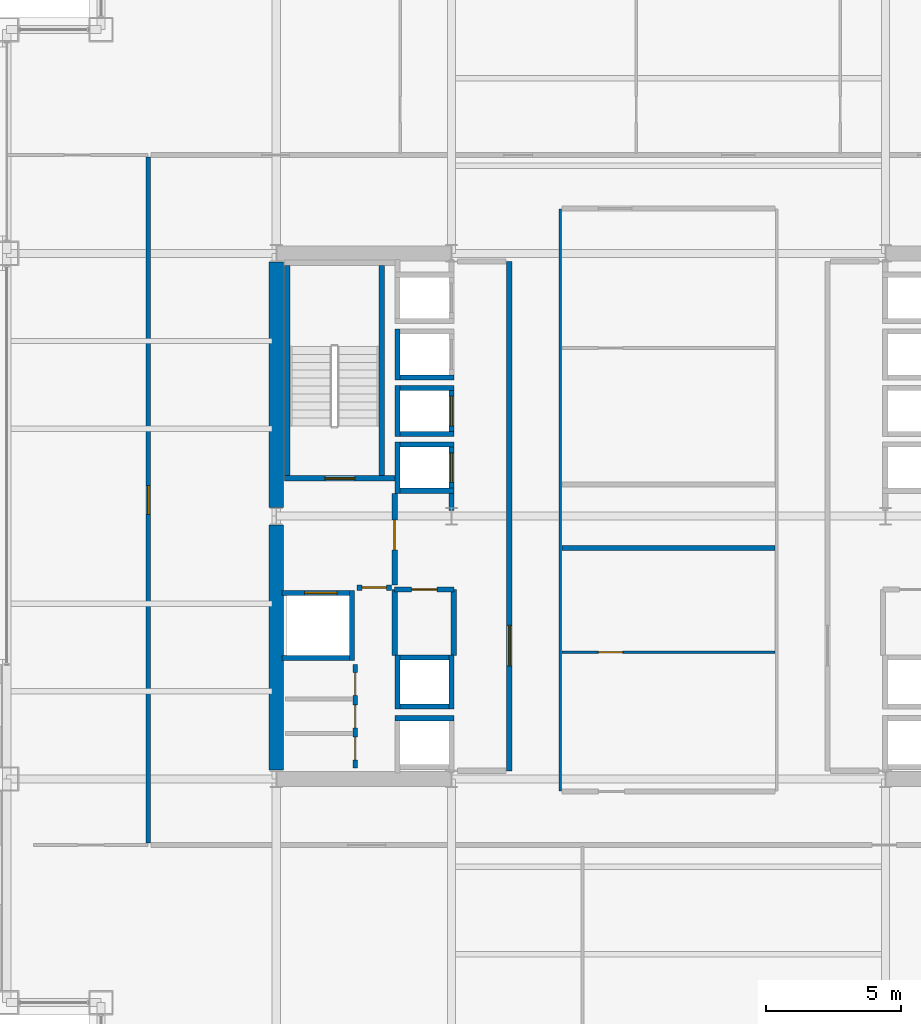
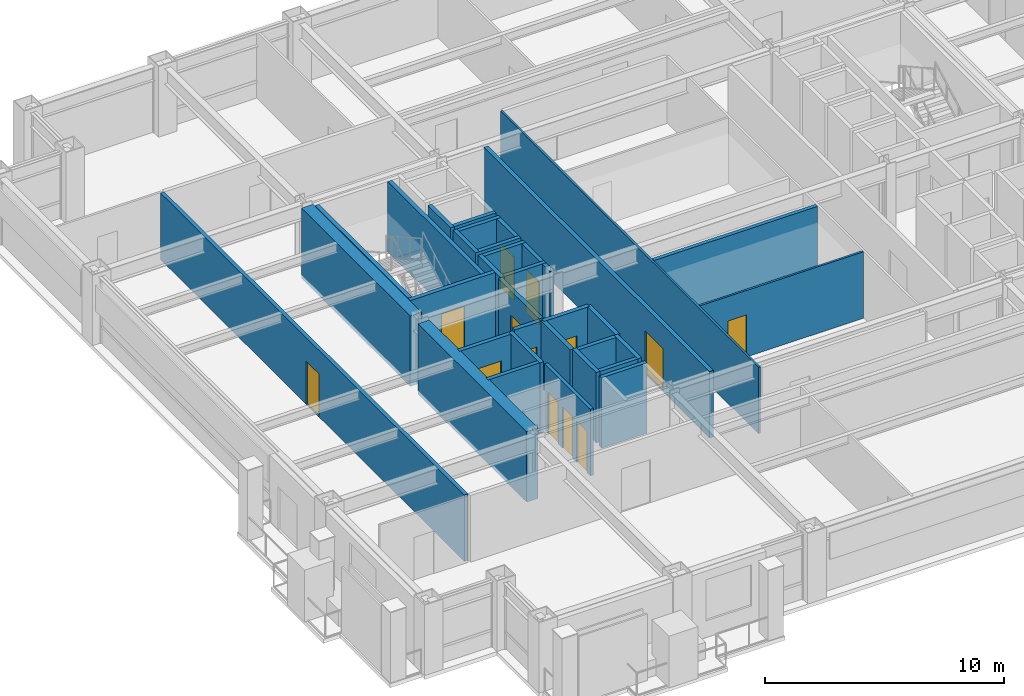
# One storey, part 23 of 28: 34 walls, 13 doors, 13 openings.
"""IFC4 building model written with IfcOpenShell, lengths in metres."""

from ifc_helpers import new_model, si_unit, direction, frame, frame_2d, origin, place, context, subcontext, project, spatial, rectangle, extrude, material, layer, layer_set, type_object, element, fill, save


model = new_model("IFC4")

# Units and contexts
model_context = context("Model", 3, precision=1e-05, world=origin(), true_north=direction((0.0, 1.0)))
body_context = subcontext(model_context, "Body", "Model", "MODEL_VIEW")
ifc_project = project(units=[si_unit("LENGTHUNIT", "METRE"), si_unit("AREAUNIT", "SQUARE_METRE"), si_unit("VOLUMEUNIT", "CUBIC_METRE"), si_unit("PLANEANGLEUNIT", "RADIAN"), si_unit("MASSUNIT", "GRAM", prefix="KILO")], contexts=[model_context])

# Site, building, storey
site_placement = place(None, origin())
site = spatial("IfcSite", under=ifc_project, at=site_placement, CompositionType="ELEMENT")
building_placement = place(site_placement, origin())
building = spatial("IfcBuilding", under=site, at=building_placement, Name="Brelmoor Portico Tower", CompositionType="ELEMENT")
storey_placement = place(building_placement, frame((0.0, 0.0, 70.800048828125)))
storey = spatial("IfcBuildingStorey", under=building, at=storey_placement, Name="L18", CompositionType="ELEMENT", Elevation=70.800048828125)

# Walls
ifc_material_1 = material(Name="Concrete C60", Category="concrete")
ifc_layer_1 = layer(ifc_material_1, 0.550048828125)
ifc_layer_set_1 = layer_set([ifc_layer_1], Name="Concrete C60")
wall_type_1 = type_object("IfcWallType", Name="WL-CORE-550", PredefinedType="SHEAR", material=ifc_layer_set_1)
for number, where, z_axis, x_axis, name in (
    (1, (-14.550048828125, -9.425048828125, -0.199951171875), (0.0, 0.0, 1.0), (0.0, 1.0, 0.0), "L18 WC Outer South Shear Wall"),
    (2, (-14.550048828125, 0.324951171875, -0.199951171875), (0.0, 0.0, 1.0), (0.0, 1.0, 0.0), "L18 WC Outer North Shear Wall"),
):
    element("IfcWall", number, at=place(storey_placement, frame(where, z_axis=z_axis, x_axis=x_axis)), inside=storey, type_object=wall_type_1, Name=name, PredefinedType="SHEAR", context=body_context, shape_type="SweptSolid", body=[
        extrude(rectangle(XDim=9.10009765625, YDim=0.550048828125, at=frame_2d((4.550048828125, 0.0))), origin(), (0.0, 0.0, 1.0), 3.599853515625),
    ])
ifc_material_2 = material(Name="Demountable Glazed Office Partition", Category="aluminium")
ifc_layer_2 = layer(ifc_material_2, 0.10009765625)
ifc_layer_set_2 = layer_set([ifc_layer_2], Name="Demountable Glazed Office Partition")
wall_type_2 = type_object("IfcWallType", Name="WL-PART-100", PredefinedType="PARTITIONING", material=ifc_layer_set_2)
wall_1_placement = place(storey_placement, frame((-4.02001953125, -10.199951171875, 0.0), z_axis=(0.0, 0.0, 1.0), x_axis=(0.0, 1.0, 0.0)))
element("IfcWall", 3, at=wall_1_placement, inside=storey, type_object=wall_type_2, Name="L18 Central Suite West Wall", PredefinedType="PARTITIONING", context=body_context, shape_type="SweptSolid", body=[
    extrude(rectangle(XDim=21.599853515625, YDim=0.10009765625, at=frame_2d((10.7998046875, 0.0))), origin(), (0.0, 0.0, 1.0), 3.39990234375),
])

# Wall, opening, door
wall_2_placement = place(storey_placement, frame((-3.949951171875, -5.050048828125, 0.0), z_axis=(0.0, 0.0, 1.0), x_axis=(1.0, 0.0, 0.0)))
wall_2 = element("IfcWall", 4, at=wall_2_placement, inside=storey, type_object=wall_type_2, Name="L18 Central Print Divider", PredefinedType="PARTITIONING", context=body_context, shape_type="SweptSolid", body=[
    extrude(rectangle(XDim=7.89990234375, YDim=0.10009765625, at=frame_2d((3.949951171875, 0.0))), origin(), (0.0, 0.0, 1.0), 3.39990234375),
])
opening_1_placement = place(wall_2_placement, frame((1.35009765625, 0.0, 0.0)))
opening_1 = element("IfcOpeningElement", 5, at=opening_1_placement, cuts=wall_2, Name="Opening D-IN1", PredefinedType="OPENING", context=body_context, shape_type="SweptSolid", body=[
    extrude(rectangle(XDim=0.89990234375, YDim=2.14990234375, at=frame_2d((0.449951171875, 1.074951171875))), frame((0.0, 0.06005859375, 0.0), z_axis=(0.0, -1.0, 0.0), x_axis=(1.0, 0.0, 0.0)), (0.0, 0.0, 1.0), 0.1201171875),
])
ifc_material_3 = material(Name="Lacquered Timber Suite Door", Category="wood")
door_type_1 = type_object("IfcDoorType", Name="DR-INT-900", OperationType="NOTDEFINED", PredefinedType="DOOR", material=ifc_material_3)
door_1_placement = place(opening_1_placement, origin())
door_1 = element("IfcDoor", 6, at=door_1_placement, inside=storey, type_object=door_type_1, Name="D-0804 L18 Central Print Studio Door", OperationType="SINGLE_SWING_RIGHT", OverallHeight=2.14990234375, OverallWidth=0.89990234375, PredefinedType="DOOR", context=body_context, shape_type="SweptSolid", body=[
    extrude(rectangle(XDim=0.89990234375, YDim=2.14990234375, at=frame_2d((0.449951171875, 1.074951171875))), frame((0.0, 0.02490234375, 0.0), z_axis=(0.0, -1.0, 0.0), x_axis=(1.0, 0.0, 0.0)), (0.0, 0.0, 1.0), 0.050048828125),
])
fill(opening_1, door_1)

# Wall, openings, doors
ifc_material_4 = material(Name="Twin-Frame Acoustic Partition", Category="gypsum")
ifc_layer_3 = layer(ifc_material_4, 0.159912109375)
ifc_layer_set_3 = layer_set([ifc_layer_3], Name="Twin-Frame Acoustic Partition")
wall_type_3 = type_object("IfcWallType", Name="WL-PART-160", PredefinedType="PARTITIONING", material=ifc_layer_set_3)
wall_3_placement = place(storey_placement, frame((-11.6201171875, -9.35009765625, 0.0), z_axis=(0.0, 0.0, 1.0), x_axis=(0.0, 1.0, 0.0)))
wall_3 = element("IfcWall", 7, at=wall_3_placement, inside=storey, type_object=wall_type_3, Name="L18 W Core Service Front Wall", PredefinedType="PARTITIONING", context=body_context, shape_type="SweptSolid", body=[
    extrude(rectangle(XDim=3.85009765625, YDim=0.159912109375, at=frame_2d((1.925048828125, 0.0))), origin(), (0.0, 0.0, 1.0), 3.39990234375),
])
opening_2_placement = place(wall_3_placement, frame((0.300048828125, 0.0, 0.0)))
opening_2 = element("IfcOpeningElement", 8, at=opening_2_placement, cuts=wall_3, Name="Opening D-WC1", PredefinedType="OPENING", context=body_context, shape_type="SweptSolid", body=[
    extrude(rectangle(XDim=0.85009765625, YDim=2.1201171875, at=frame_2d((0.425048828125, 1.06005859375))), frame((0.0, 0.08984375, 0.0), z_axis=(0.0, -1.0, 0.0), x_axis=(1.0, 0.0, 0.0)), (0.0, 0.0, 1.0), 0.179931640625),
])
opening_3_placement = place(wall_3_placement, frame((1.5, 0.0, 0.0)))
opening_3 = element("IfcOpeningElement", 9, at=opening_3_placement, cuts=wall_3, Name="Opening D-WC1", PredefinedType="OPENING", context=body_context, shape_type="SweptSolid", body=[
    extrude(rectangle(XDim=0.85009765625, YDim=2.1201171875, at=frame_2d((0.425048828125, 1.06005859375))), frame((0.0, 0.08984375, 0.0), z_axis=(0.0, -1.0, 0.0), x_axis=(1.0, 0.0, 0.0)), (0.0, 0.0, 1.0), 0.179931640625),
])
opening_4_placement = place(wall_3_placement, frame((2.699951171875, 0.0, 0.0)))
opening_4 = element("IfcOpeningElement", 10, at=opening_4_placement, cuts=wall_3, Name="Opening D-WC1", PredefinedType="OPENING", context=body_context, shape_type="SweptSolid", body=[
    extrude(rectangle(XDim=0.85009765625, YDim=2.1201171875, at=frame_2d((0.425048828125, 1.06005859375))), frame((0.0, 0.08984375, 0.0), z_axis=(0.0, -1.0, 0.0), x_axis=(1.0, 0.0, 0.0)), (0.0, 0.0, 1.0), 0.179931640625),
])
ifc_material_5 = material(Name="Moisture-Resistant Laminate WC Door", Category="timber")
door_type_2 = type_object("IfcDoorType", Name="DR-WC-850", OperationType="NOTDEFINED", PredefinedType="DOOR", material=ifc_material_5)
door_2_placement = place(opening_2_placement, origin())
door_2 = element("IfcDoor", 11, at=door_2_placement, inside=storey, type_object=door_type_2, Name="D-0809 L18 W Accessible WC Door", OperationType="SINGLE_SWING_LEFT", OverallHeight=2.1201171875, OverallWidth=0.85009765625, PredefinedType="DOOR", context=body_context, shape_type="SweptSolid", body=[
    extrude(rectangle(XDim=0.85009765625, YDim=2.1201171875, at=frame_2d((0.425048828125, 1.06005859375))), frame((0.0, 0.02490234375, 0.0), z_axis=(0.0, -1.0, 0.0), x_axis=(1.0, 0.0, 0.0)), (0.0, 0.0, 1.0), 0.050048828125),
])
fill(opening_2, door_2)
door_3_placement = place(opening_3_placement, origin())
door_3 = element("IfcDoor", 12, at=door_3_placement, inside=storey, type_object=door_type_2, Name="D-0810 L18 W Staff WC Door", OperationType="SINGLE_SWING_RIGHT", OverallHeight=2.1201171875, OverallWidth=0.85009765625, PredefinedType="DOOR", context=body_context, shape_type="SweptSolid", body=[
    extrude(rectangle(XDim=0.85009765625, YDim=2.1201171875, at=frame_2d((0.425048828125, 1.06005859375))), frame((0.0, 0.02490234375, 0.0), z_axis=(0.0, -1.0, 0.0), x_axis=(1.0, 0.0, 0.0)), (0.0, 0.0, 1.0), 0.050048828125),
])
fill(opening_3, door_3)
door_4_placement = place(opening_4_placement, origin())
door_4 = element("IfcDoor", 13, at=door_4_placement, inside=storey, type_object=door_type_2, Name="D-0811 L18 W Cleaner Store Door", OperationType="SINGLE_SWING_LEFT", OverallHeight=2.1201171875, OverallWidth=0.85009765625, PredefinedType="DOOR", context=body_context, shape_type="SweptSolid", body=[
    extrude(rectangle(XDim=0.85009765625, YDim=2.1201171875, at=frame_2d((0.425048828125, 1.06005859375))), frame((0.0, 0.02490234375, 0.0), z_axis=(0.0, -1.0, 0.0), x_axis=(1.0, 0.0, 0.0)), (0.0, 0.0, 1.0), 0.050048828125),
])
fill(opening_4, door_4)

# Wall
ifc_material_6 = material(Name="Acoustic Corridor Fire Partition", Category="gypsum")
ifc_layer_4 = layer(ifc_material_6, 0.179931640625)
ifc_layer_set_4 = layer_set([ifc_layer_4], Name="Acoustic Corridor Fire Partition")
wall_type_4 = type_object("IfcWallType", Name="WL-PART-180", PredefinedType="PARTITIONING", material=ifc_layer_set_4)
wall_4_placement = place(storey_placement, frame((-3.949951171875, -1.179931640625, 0.0), z_axis=(0.0, 0.0, 1.0), x_axis=(1.0, 0.0, 0.0)))
element("IfcWall", 14, at=wall_4_placement, inside=storey, type_object=wall_type_4, Name="L18 Central Pantry North Wall", PredefinedType="PARTITIONING", context=body_context, shape_type="SweptSolid", body=[
    extrude(rectangle(XDim=7.89990234375, YDim=0.179931640625, at=frame_2d((3.949951171875, 0.0))), origin(), (0.0, 0.0, 1.0), 3.39990234375),
])

# Wall, opening, door
wall_5_placement = place(storey_placement, frame((-19.300048828125, -12.1201171875, 0.0), z_axis=(0.0, 0.0, 1.0), x_axis=(0.0, 1.0, 0.0)))
wall_5 = element("IfcWall", 15, at=wall_5_placement, inside=storey, type_object=wall_type_4, Name="L18 W Wing Corridor Wall", PredefinedType="PARTITIONING", context=body_context, shape_type="SweptSolid", body=[
    extrude(rectangle(XDim=25.440185546875, YDim=0.179931640625, at=frame_2d((12.72021484375, 0.0))), origin(), (0.0, 0.0, 1.0), 3.39990234375),
])
opening_5_placement = place(wall_5_placement, frame((12.18994140625, 0.0, 0.0)))
opening_5 = element("IfcOpeningElement", 16, at=opening_5_placement, cuts=wall_5, Name="Opening D-OF2", PredefinedType="OPENING", context=body_context, shape_type="SweptSolid", body=[
    extrude(rectangle(XDim=1.06005859375, YDim=2.199951171875, at=frame_2d((0.530029296875, 1.10009765625))), frame((0.0, 0.099853515625, 0.0), z_axis=(0.0, -1.0, 0.0), x_axis=(1.0, 0.0, 0.0)), (0.0, 0.0, 1.0), 0.199951171875),
])
ifc_material_7 = material(Name="Hardwood Acoustic Veneer Door", Category="wood")
door_type_3 = type_object("IfcDoorType", Name="DR-OFFICE-1050", OperationType="NOTDEFINED", PredefinedType="DOOR", material=ifc_material_7)
door_5_placement = place(opening_5_placement, origin())
door_5 = element("IfcDoor", 17, at=door_5_placement, inside=storey, type_object=door_type_3, Name="D-0843 L18 W Project Strategy Office 1 Door", OperationType="SINGLE_SWING_LEFT", OverallHeight=2.199951171875, OverallWidth=1.06005859375, PredefinedType="DOOR", context=body_context, shape_type="SweptSolid", body=[
    extrude(rectangle(XDim=1.06005859375, YDim=2.199951171875, at=frame_2d((0.530029296875, 1.10009765625))), frame((0.0, 0.02490234375, 0.0), z_axis=(0.0, -1.0, 0.0), x_axis=(1.0, 0.0, 0.0)), (0.0, 0.0, 1.0), 0.050048828125),
])
fill(opening_5, door_5)

ifc_material_8 = material(Name="Double-Stud Gypsum Fire Partition", Category="gypsum")
ifc_layer_5 = layer(ifc_material_8, 0.199951171875)
ifc_layer_set_5 = layer_set([ifc_layer_5], Name="Double-Stud Gypsum Fire Partition")
wall_type_5 = type_object("IfcWallType", Name="WL-PART-200", PredefinedType="PARTITIONING", material=ifc_layer_set_5)
wall_6_placement = place(storey_placement, frame((-5.89990234375, -9.449951171875, 0.0), z_axis=(0.0, 0.0, 1.0), x_axis=(0.0, 1.0, 0.0)))
wall_6 = element("IfcWall", 18, at=wall_6_placement, inside=storey, type_object=wall_type_5, Name="L18 W Core Lobby Compartment Wall", PredefinedType="PARTITIONING", context=body_context, shape_type="SweptSolid", body=[
    extrude(rectangle(XDim=18.89990234375, YDim=0.199951171875, at=frame_2d((9.449951171875, 0.0))), origin(), (0.0, 0.0, 1.0), 3.39990234375),
])
opening_6_placement = place(wall_6_placement, frame((3.89990234375, 0.0, 0.0)))
opening_6 = element("IfcOpeningElement", 19, at=opening_6_placement, cuts=wall_6, Name="Opening D-LB1", PredefinedType="OPENING", context=body_context, shape_type="SweptSolid", body=[
    extrude(rectangle(XDim=1.5, YDim=2.199951171875, at=frame_2d((0.75, 1.10009765625))), frame((0.0, 0.10986328125, 0.0), z_axis=(0.0, -1.0, 0.0), x_axis=(1.0, 0.0, 0.0)), (0.0, 0.0, 1.0), 0.219970703125),
])
ifc_material_9 = material(Name="Double-Leaf Glazed Steel Fire Door", Category="steel")
door_type_4 = type_object("IfcDoorType", Name="DR-LOBBY-1500", OperationType="NOTDEFINED", PredefinedType="DOOR", material=ifc_material_9)
door_6_placement = place(opening_6_placement, origin())
door_6 = element("IfcDoor", 20, at=door_6_placement, inside=storey, type_object=door_type_4, Name="D-0817 L18 W Lift Lobby Main Door", OperationType="DOUBLE_DOOR_SINGLE_SWING", OverallHeight=2.199951171875, OverallWidth=1.5, PredefinedType="DOOR", context=body_context, shape_type="SweptSolid", body=[
    extrude(rectangle(XDim=1.5, YDim=2.199951171875, at=frame_2d((0.75, 1.10009765625))), frame((0.0, 0.02490234375, 0.0), z_axis=(0.0, -1.0, 0.0), x_axis=(1.0, 0.0, 0.0)), (0.0, 0.0, 1.0), 0.050048828125),
])
fill(opening_6, door_6)

wall_7_placement = place(storey_placement, frame((-10.159912109375, -2.550048828125, 0.0), z_axis=(0.0, 0.0, 1.0), x_axis=(0.0, 1.0, 0.0)))
wall_7 = element("IfcWall", 21, at=wall_7_placement, inside=storey, type_object=wall_type_5, Name="L18 W Firefighting Lobby Wall", PredefinedType="PARTITIONING", context=body_context, shape_type="SweptSolid", body=[
    extrude(rectangle(XDim=3.400146484375, YDim=0.199951171875, at=frame_2d((1.7001953125, 0.0))), origin(), (0.0, 0.0, 1.0), 3.39990234375),
])
opening_7_placement = place(wall_7_placement, frame((1.300048828125, 0.0, 0.0)))
opening_7 = element("IfcOpeningElement", 22, at=opening_7_placement, cuts=wall_7, Name="Opening D-FR1", PredefinedType="OPENING", context=body_context, shape_type="SweptSolid", body=[
    extrude(rectangle(XDim=1.10009765625, YDim=2.14990234375, at=frame_2d((0.550048828125, 1.074951171875))), frame((0.0, 0.10986328125, 0.0), z_axis=(0.0, -1.0, 0.0), x_axis=(1.0, 0.0, 0.0)), (0.0, 0.0, 1.0), 0.219970703125),
])
ifc_material_10 = material(Name="Painted Galvanised Steel Fire Door", Category="steel")
door_type_5 = type_object("IfcDoorType", Name="DR-FIRE-1100", OperationType="NOTDEFINED", PredefinedType="DOOR", material=ifc_material_10)
door_7_placement = place(opening_7_placement, origin())
door_7 = element("IfcDoor", 23, at=door_7_placement, inside=storey, type_object=door_type_5, Name="D-0815 L18 W Firefighting Lobby Door", OperationType="SINGLE_SWING_RIGHT", OverallHeight=2.14990234375, OverallWidth=1.10009765625, PredefinedType="DOOR", context=body_context, shape_type="SweptSolid", body=[
    extrude(rectangle(XDim=1.10009765625, YDim=2.14990234375, at=frame_2d((0.550048828125, 1.074951171875))), frame((0.0, 0.02490234375, 0.0), z_axis=(0.0, -1.0, 0.0), x_axis=(1.0, 0.0, 0.0)), (0.0, 0.0, 1.0), 0.050048828125),
])
fill(opening_7, door_7)

wall_8_placement = place(storey_placement, frame((-10.280029296875, -2.64990234375, 0.0), z_axis=(0.0, 0.0, 1.0), x_axis=(-1.0, 0.0, 0.0)))
wall_8 = element("IfcWall", 24, at=wall_8_placement, inside=storey, type_object=wall_type_5, Name="L18 W Firefighting Lobby South Wall", PredefinedType="PARTITIONING", context=body_context, shape_type="SweptSolid", body=[
    extrude(rectangle(XDim=1.27001953125, YDim=0.199951171875, at=frame_2d((0.635009765625, 0.0))), origin(), (0.0, 0.0, 1.0), 3.39990234375),
])
opening_8_placement = place(wall_8_placement, frame((0.18505859375, 0.0, 0.0)))
opening_8 = element("IfcOpeningElement", 25, at=opening_8_placement, cuts=wall_8, Name="Opening D-IN1", PredefinedType="OPENING", context=body_context, shape_type="SweptSolid", body=[
    extrude(rectangle(XDim=0.89990234375, YDim=2.14990234375, at=frame_2d((0.449951171875, 1.074951171875))), frame((0.0, 0.10986328125, 0.0), z_axis=(0.0, -1.0, 0.0), x_axis=(1.0, 0.0, 0.0)), (0.0, 0.0, 1.0), 0.219970703125),
])
door_8_placement = place(opening_8_placement, origin())
door_8 = element("IfcDoor", 26, at=door_8_placement, inside=storey, type_object=door_type_1, Name="D-0808 L18 W Core Service Vestibule Door", OperationType="SINGLE_SWING_LEFT", OverallHeight=2.14990234375, OverallWidth=0.89990234375, PredefinedType="DOOR", context=body_context, shape_type="SweptSolid", body=[
    extrude(rectangle(XDim=0.89990234375, YDim=2.14990234375, at=frame_2d((0.449951171875, 1.074951171875))), frame((0.0, 0.02490234375, 0.0), z_axis=(0.0, -1.0, 0.0), x_axis=(1.0, 0.0, 0.0)), (0.0, 0.0, 1.0), 0.050048828125),
])
fill(opening_8, door_8)

wall_9_placement = place(storey_placement, frame((-7.9599609375, -2.719970703125, 0.0), z_axis=(0.0, 0.0, 1.0), x_axis=(-1.0, 0.0, 0.0)))
wall_9 = element("IfcWall", 27, at=wall_9_placement, inside=storey, type_object=wall_type_5, Name="L18 W Electrical Switchgear Closet Wall", PredefinedType="PARTITIONING", context=body_context, shape_type="SweptSolid", body=[
    extrude(rectangle(XDim=2.199951171875, YDim=0.199951171875, at=frame_2d((1.10009765625, 0.0))), origin(), (0.0, 0.0, 1.0), 3.39990234375),
])
opening_9_placement = place(wall_9_placement, frame((0.6201171875, 0.0, 0.0)))
opening_9 = element("IfcOpeningElement", 28, at=opening_9_placement, cuts=wall_9, Name="Opening D-FR4", PredefinedType="OPENING", context=body_context, shape_type="SweptSolid", body=[
    extrude(rectangle(XDim=0.949951171875, YDim=2.10009765625, at=frame_2d((0.47509765625, 1.050048828125))), frame((0.0, 0.10986328125, 0.0), z_axis=(0.0, -1.0, 0.0), x_axis=(1.0, 0.0, 0.0)), (0.0, 0.0, 1.0), 0.219970703125),
])
ifc_material_11 = material(Name="Painted Galvanised Steel Riser Door", Category="steel")
door_type_6 = type_object("IfcDoorType", Name="DR-FIRE-950", OperationType="NOTDEFINED", PredefinedType="DOOR", material=ifc_material_11)
door_9_placement = place(opening_9_placement, origin())
door_9 = element("IfcDoor", 29, at=door_9_placement, inside=storey, type_object=door_type_6, Name="D-0813 L18 W Electrical Switchgear Closet Door", OperationType="SINGLE_SWING_RIGHT", OverallHeight=2.10009765625, OverallWidth=0.949951171875, PredefinedType="DOOR", context=body_context, shape_type="SweptSolid", body=[
    extrude(rectangle(XDim=0.949951171875, YDim=2.10009765625, at=frame_2d((0.47509765625, 1.050048828125))), frame((0.0, 0.02490234375, 0.0), z_axis=(0.0, -1.0, 0.0), x_axis=(1.0, 0.0, 0.0)), (0.0, 0.0, 1.0), 0.050048828125),
])
fill(opening_9, door_9)

# Walls
for number, where, z_axis, x_axis, name in (
    (30, (-7.9599609375, -5.159912109375, 0.0), (0.0, 0.0, 1.0), (0.0, 1.0, 0.0), "L18 W Electrical Switchgear Closet Inner Wall"),
    (31, (-10.159912109375, -5.159912109375, 0.0), (0.0, 0.0, 1.0), (0.0, 1.0, 0.0), "L18 W Electrical Switchgear Closet Outer Wall"),
):
    element("IfcWall", number, at=place(storey_placement, frame(where, z_axis=z_axis, x_axis=x_axis)), inside=storey, type_object=wall_type_5, Name=name, PredefinedType="PARTITIONING", context=body_context, shape_type="SweptSolid", body=[
        extrude(rectangle(XDim=2.43994140625, YDim=0.199951171875, at=frame_2d((1.219970703125, 0.0))), origin(), (0.0, 0.0, 1.0), 3.39990234375),
    ])

# Wall, opening, door
ifc_material_12 = material(Name="Precast Concrete C40", Category="concrete")
ifc_layer_6 = layer(ifc_material_12, 0.18994140625)
ifc_layer_set_6 = layer_set([ifc_layer_6], Name="Precast Concrete C40")
wall_type_6 = type_object("IfcWallType", Name="WL-SHAFT-180", PredefinedType="SOLIDWALL", material=ifc_layer_set_6)
wall_10_placement = place(storey_placement, frame((-8.044921875, 0.2099609375, -0.199951171875), z_axis=(0.0, 0.0, 1.0), x_axis=(0.0, 1.0, 0.0)))
wall_10 = element("IfcWall", 32, at=wall_10_placement, inside=storey, type_object=wall_type_6, Name="L18 Lift PL1 Hoistway Front Wall", PredefinedType="SOLIDWALL", context=body_context, shape_type="SweptSolid", body=[
    extrude(rectangle(XDim=2.5400390625, YDim=0.18994140625, at=frame_2d((1.27001953125, 0.0))), origin(), (0.0, 0.0, 1.0), 3.599853515625),
])
opening_10_placement = place(wall_10_placement, frame((1.0400390625, 0.0, 0.199951171875)))
opening_10 = element("IfcOpeningElement", 33, at=opening_10_placement, cuts=wall_10, Name="Opening LD-01", PredefinedType="OPENING", context=body_context, shape_type="SweptSolid", body=[
    extrude(rectangle(XDim=1.10009765625, YDim=2.199951171875, at=frame_2d((0.550048828125, 1.10009765625))), frame((0.0, 0.10498046875, 0.0), z_axis=(0.0, -1.0, 0.0), x_axis=(1.0, 0.0, 0.0)), (0.0, 0.0, 1.0), 0.2099609375),
])
ifc_material_13 = material(Name="Brushed Stainless Steel Sliding Lift Door", Category="steel")
door_type_7 = type_object("IfcDoorType", Name="DR-LIFT-1100", OperationType="NOTDEFINED", PredefinedType="DOOR", material=ifc_material_13)
door_10_placement = place(opening_10_placement, origin())
door_10 = element("IfcDoor", 34, at=door_10_placement, inside=storey, type_object=door_type_7, Name="D-0846 L18 Lift PL1 Sliding Landing Door", OperationType="SLIDING_TO_LEFT", OverallHeight=2.199951171875, OverallWidth=1.10009765625, PredefinedType="DOOR", context=body_context, shape_type="SweptSolid", body=[
    extrude(rectangle(XDim=1.10009765625, YDim=2.199951171875, at=frame_2d((0.550048828125, 1.10009765625))), frame((0.0, 0.02490234375, 0.0), z_axis=(0.0, -1.0, 0.0), x_axis=(1.0, 0.0, 0.0)), (0.0, 0.0, 1.0), 0.050048828125),
])
fill(opening_10, door_10)

# Walls
wall_11_placement = place(storey_placement, frame((-10.054931640625, 0.85009765625, -0.199951171875), z_axis=(0.0, 0.0, 1.0), x_axis=(0.0, 1.0, 0.0)))
element("IfcWall", 35, at=wall_11_placement, inside=storey, type_object=wall_type_6, Name="L18 Lift PL1 Hoistway Back Wall", PredefinedType="SOLIDWALL", context=body_context, shape_type="SweptSolid", body=[
    extrude(rectangle(XDim=1.89990234375, YDim=0.18994140625, at=frame_2d((0.949951171875, 0.0))), origin(), (0.0, 0.0, 1.0), 3.599853515625),
])
for number, where, z_axis, x_axis, name in (
    (36, (-10.14990234375, 2.655029296875, -0.199951171875), (0.0, 0.0, 1.0), (1.0, 0.0, 0.0), "L18 Lift PL1 Hoistway North Wall"),
    (37, (-10.14990234375, 0.945068359375, -0.199951171875), (0.0, 0.0, 1.0), (1.0, 0.0, 0.0), "L18 Lift PL1 Hoistway South Wall"),
):
    element("IfcWall", number, at=place(storey_placement, frame(where, z_axis=z_axis, x_axis=x_axis)), inside=storey, type_object=wall_type_6, Name=name, PredefinedType="SOLIDWALL", context=body_context, shape_type="SweptSolid", body=[
        extrude(rectangle(XDim=2.199951171875, YDim=0.18994140625, at=frame_2d((1.10009765625, 0.0))), origin(), (0.0, 0.0, 1.0), 3.599853515625),
    ])

# Wall, opening, door
wall_12_placement = place(storey_placement, frame((-8.044921875, 2.949951171875, -0.199951171875), z_axis=(0.0, 0.0, 1.0), x_axis=(0.0, 1.0, 0.0)))
wall_12 = element("IfcWall", 38, at=wall_12_placement, inside=storey, type_object=wall_type_6, Name="L18 Lift PL2 Hoistway Front Wall", PredefinedType="SOLIDWALL", context=body_context, shape_type="SweptSolid", body=[
    extrude(rectangle(XDim=1.900146484375, YDim=0.18994140625, at=frame_2d((0.9501953125, 0.0))), origin(), (0.0, 0.0, 1.0), 3.599853515625),
])
opening_11_placement = place(wall_12_placement, frame((0.39990234375, 0.0, 0.199951171875)))
opening_11 = element("IfcOpeningElement", 39, at=opening_11_placement, cuts=wall_12, Name="Opening LD-01", PredefinedType="OPENING", context=body_context, shape_type="SweptSolid", body=[
    extrude(rectangle(XDim=1.10009765625, YDim=2.199951171875, at=frame_2d((0.550048828125, 1.10009765625))), frame((0.0, 0.10498046875, 0.0), z_axis=(0.0, -1.0, 0.0), x_axis=(1.0, 0.0, 0.0)), (0.0, 0.0, 1.0), 0.2099609375),
])
door_11_placement = place(opening_11_placement, origin())
door_11 = element("IfcDoor", 40, at=door_11_placement, inside=storey, type_object=door_type_7, Name="D-0847 L18 Lift PL2 Sliding Landing Door", OperationType="SLIDING_TO_LEFT", OverallHeight=2.199951171875, OverallWidth=1.10009765625, PredefinedType="DOOR", context=body_context, shape_type="SweptSolid", body=[
    extrude(rectangle(XDim=1.10009765625, YDim=2.199951171875, at=frame_2d((0.550048828125, 1.10009765625))), frame((0.0, 0.02490234375, 0.0), z_axis=(0.0, -1.0, 0.0), x_axis=(1.0, 0.0, 0.0)), (0.0, 0.0, 1.0), 0.050048828125),
])
fill(opening_11, door_11)

# Walls
wall_13_placement = place(storey_placement, frame((-10.054931640625, 2.949951171875, -0.199951171875), z_axis=(0.0, 0.0, 1.0), x_axis=(0.0, 1.0, 0.0)))
element("IfcWall", 41, at=wall_13_placement, inside=storey, type_object=wall_type_6, Name="L18 Lift PL2 Hoistway Back Wall", PredefinedType="SOLIDWALL", context=body_context, shape_type="SweptSolid", body=[
    extrude(rectangle(XDim=1.900146484375, YDim=0.18994140625, at=frame_2d((0.9501953125, 0.0))), origin(), (0.0, 0.0, 1.0), 3.599853515625),
])
for number, where, z_axis, x_axis, name in (
    (42, (-10.14990234375, 4.7548828125, -0.199951171875), (0.0, 0.0, 1.0), (1.0, 0.0, 0.0), "L18 Lift PL2 Hoistway North Wall"),
    (43, (-10.14990234375, 3.044921875, -0.199951171875), (0.0, 0.0, 1.0), (1.0, 0.0, 0.0), "L18 Lift PL2 Hoistway South Wall"),
):
    element("IfcWall", number, at=place(storey_placement, frame(where, z_axis=z_axis, x_axis=x_axis)), inside=storey, type_object=wall_type_6, Name=name, PredefinedType="SOLIDWALL", context=body_context, shape_type="SweptSolid", body=[
        extrude(rectangle(XDim=2.199951171875, YDim=0.18994140625, at=frame_2d((1.10009765625, 0.0))), origin(), (0.0, 0.0, 1.0), 3.599853515625),
    ])
wall_14_placement = place(storey_placement, frame((-10.054931640625, 5.050048828125, -0.199951171875), z_axis=(0.0, 0.0, 1.0), x_axis=(0.0, 1.0, 0.0)))
element("IfcWall", 44, at=wall_14_placement, inside=storey, type_object=wall_type_6, Name="L18 Lift PL3 Hoistway Back Wall", PredefinedType="SOLIDWALL", context=body_context, shape_type="SweptSolid", body=[
    extrude(rectangle(XDim=1.89990234375, YDim=0.18994140625, at=frame_2d((0.949951171875, 0.0))), origin(), (0.0, 0.0, 1.0), 3.599853515625),
])
for number, where, z_axis, x_axis, name in (
    (45, (-10.14990234375, 5.14501953125, -0.199951171875), (0.0, 0.0, 1.0), (1.0, 0.0, 0.0), "L18 Lift PL3 Hoistway South Wall"),
    (46, (-10.14990234375, -7.4951171875, -0.199951171875), (0.0, 0.0, 1.0), (1.0, 0.0, 0.0), "L18 Lift PH1 Hoistway North Wall"),
):
    element("IfcWall", number, at=place(storey_placement, frame(where, z_axis=z_axis, x_axis=x_axis)), inside=storey, type_object=wall_type_6, Name=name, PredefinedType="SOLIDWALL", context=body_context, shape_type="SweptSolid", body=[
        extrude(rectangle(XDim=2.199951171875, YDim=0.18994140625, at=frame_2d((1.10009765625, 0.0))), origin(), (0.0, 0.0, 1.0), 3.599853515625),
    ])
for number, where, z_axis, x_axis, name in (
    (47, (-8.044921875, -7.14990234375, -0.199951171875), (0.0, 0.0, 1.0), (0.0, 1.0, 0.0), "L18 Lift PH2 Hoistway Front Wall"),
    (48, (-10.054931640625, -7.14990234375, -0.199951171875), (0.0, 0.0, 1.0), (0.0, 1.0, 0.0), "L18 Lift PH2 Hoistway Back Wall"),
):
    element("IfcWall", number, at=place(storey_placement, frame(where, z_axis=z_axis, x_axis=x_axis)), inside=storey, type_object=wall_type_6, Name=name, PredefinedType="SOLIDWALL", context=body_context, shape_type="SweptSolid", body=[
        extrude(rectangle(XDim=2.0, YDim=0.18994140625, at=frame_2d((1.0, 0.0))), origin(), (0.0, 0.0, 1.0), 3.599853515625),
    ])
for number, where, z_axis, x_axis, name in (
    (49, (-10.14990234375, -5.2451171875, -0.199951171875), (0.0, 0.0, 1.0), (1.0, 0.0, 0.0), "L18 Lift PH2 Hoistway North Wall"),
    (50, (-10.14990234375, -7.054931640625, -0.199951171875), (0.0, 0.0, 1.0), (1.0, 0.0, 0.0), "L18 Lift PH2 Hoistway South Wall"),
):
    element("IfcWall", number, at=place(storey_placement, frame(where, z_axis=z_axis, x_axis=x_axis)), inside=storey, type_object=wall_type_6, Name=name, PredefinedType="SOLIDWALL", context=body_context, shape_type="SweptSolid", body=[
        extrude(rectangle(XDim=2.199951171875, YDim=0.18994140625, at=frame_2d((1.10009765625, 0.0))), origin(), (0.0, 0.0, 1.0), 3.599853515625),
    ])

# Wall, opening, door
wall_15_placement = place(storey_placement, frame((-14.330078125, -2.844970703125, -0.199951171875), z_axis=(0.0, 0.0, 1.0), x_axis=(1.0, 0.0, 0.0)))
wall_15 = element("IfcWall", 51, at=wall_15_placement, inside=storey, type_object=wall_type_6, Name="L18 Lift FF1 Hoistway Front Wall", PredefinedType="SOLIDWALL", context=body_context, shape_type="SweptSolid", body=[
    extrude(rectangle(XDim=2.68017578125, YDim=0.18994140625, at=frame_2d((1.340087890625, 0.0))), origin(), (0.0, 0.0, 1.0), 3.599853515625),
])
opening_12_placement = place(wall_15_placement, frame((0.830078125, 0.0, 0.199951171875)))
opening_12 = element("IfcOpeningElement", 52, at=opening_12_placement, cuts=wall_15, Name="Opening LD-02", PredefinedType="OPENING", context=body_context, shape_type="SweptSolid", body=[
    extrude(rectangle(XDim=1.199951171875, YDim=2.199951171875, at=frame_2d((0.60009765625, 1.10009765625))), frame((0.0, 0.10498046875, 0.0), z_axis=(0.0, -1.0, 0.0), x_axis=(1.0, 0.0, 0.0)), (0.0, 0.0, 1.0), 0.2099609375),
])
ifc_material_14 = material(Name="Brushed Stainless Steel Firefighting Lift Door", Category="steel")
door_type_8 = type_object("IfcDoorType", Name="DR-LIFT-1200", OperationType="NOTDEFINED", PredefinedType="DOOR", material=ifc_material_14)
door_12_placement = place(opening_12_placement, origin())
door_12 = element("IfcDoor", 53, at=door_12_placement, inside=storey, type_object=door_type_8, Name="D-0844 L18 Lift FF1 Sliding Landing Door", OperationType="SLIDING_TO_LEFT", OverallHeight=2.199951171875, OverallWidth=1.199951171875, PredefinedType="DOOR", context=body_context, shape_type="SweptSolid", body=[
    extrude(rectangle(XDim=1.199951171875, YDim=2.199951171875, at=frame_2d((0.60009765625, 1.10009765625))), frame((0.0, 0.02490234375, 0.0), z_axis=(0.0, -1.0, 0.0), x_axis=(1.0, 0.0, 0.0)), (0.0, 0.0, 1.0), 0.050048828125),
])
fill(opening_12, door_12)

# Walls
wall_16_placement = place(storey_placement, frame((-14.330078125, -5.2548828125, -0.199951171875), z_axis=(0.0, 0.0, 1.0), x_axis=(1.0, 0.0, 0.0)))
element("IfcWall", 54, at=wall_16_placement, inside=storey, type_object=wall_type_6, Name="L18 Firefighting Lift FF1 South Wall", PredefinedType="SOLIDWALL", context=body_context, shape_type="SweptSolid", body=[
    extrude(rectangle(XDim=2.68017578125, YDim=0.18994140625, at=frame_2d((1.340087890625, 0.0))), origin(), (0.0, 0.0, 1.0), 3.599853515625),
])
wall_17_placement = place(storey_placement, frame((-11.7451171875, -5.35009765625, -0.199951171875), z_axis=(0.0, 0.0, 1.0), x_axis=(0.0, 1.0, 0.0)))
element("IfcWall", 55, at=wall_17_placement, inside=storey, type_object=wall_type_6, Name="L18 Firefighting Lift FF1 Inner Wall", PredefinedType="SOLIDWALL", context=body_context, shape_type="SweptSolid", body=[
    extrude(rectangle(XDim=2.60009765625, YDim=0.18994140625, at=frame_2d((1.300048828125, 0.0))), origin(), (0.0, 0.0, 1.0), 3.599853515625),
])
ifc_material_15 = material(Name="Concrete C40", Category="concrete")
ifc_layer_7 = layer(ifc_material_15, 0.199951171875)
ifc_layer_set_7 = layer_set([ifc_layer_7], Name="Concrete C40")
wall_type_7 = type_object("IfcWallType", Name="WL-SHAFT-RC200", PredefinedType="SOLIDWALL", material=ifc_layer_set_7)
wall_18_placement = place(storey_placement, frame((-14.14990234375, 1.5, -0.199951171875), z_axis=(0.0, 0.0, 1.0), x_axis=(0.0, 1.0, 0.0)))
element("IfcWall", 56, at=wall_18_placement, inside=storey, type_object=wall_type_7, Name="L18 ST-W Structural Stair Wall Outer", PredefinedType="SOLIDWALL", context=body_context, shape_type="SweptSolid", body=[
    extrude(rectangle(XDim=7.800048828125, YDim=0.199951171875, at=frame_2d((3.89990234375, 0.0))), origin(), (0.0, 0.0, 1.0), 3.599853515625),
])

# Wall, opening, door
wall_19_placement = place(storey_placement, frame((-14.25, 1.39990234375, -0.199951171875), z_axis=(0.0, 0.0, 1.0), x_axis=(1.0, 0.0, 0.0)))
wall_19 = element("IfcWall", 57, at=wall_19_placement, inside=storey, type_object=wall_type_7, Name="L18 ST-W Structural Stair Wall S", PredefinedType="SOLIDWALL", context=body_context, shape_type="SweptSolid", body=[
    extrude(rectangle(XDim=4.10009765625, YDim=0.199951171875, at=frame_2d((2.050048828125, 0.0))), origin(), (0.0, 0.0, 1.0), 3.599853515625),
])
opening_13_placement = place(wall_19_placement, frame((1.5, 0.0, 0.199951171875)))
opening_13 = element("IfcOpeningElement", 58, at=opening_13_placement, cuts=wall_19, Name="Opening D-ST1", PredefinedType="OPENING", context=body_context, shape_type="SweptSolid", body=[
    extrude(rectangle(XDim=1.1201171875, YDim=2.179931640625, at=frame_2d((0.56005859375, 1.08984375))), frame((0.0, 0.10986328125, 0.0), z_axis=(0.0, -1.0, 0.0), x_axis=(1.0, 0.0, 0.0)), (0.0, 0.0, 1.0), 0.219970703125),
])
door_type_9 = type_object("IfcDoorType", Name="DR-STAIR-1100", OperationType="NOTDEFINED", PredefinedType="DOOR", material=ifc_material_10)
door_13_placement = place(opening_13_placement, origin())
door_13 = element("IfcDoor", 59, at=door_13_placement, inside=storey, type_object=door_type_9, Name="D-0833 L18 ST-W Protected Exit Stair Door", OperationType="SINGLE_SWING_LEFT", OverallHeight=2.179931640625, OverallWidth=1.1201171875, PredefinedType="DOOR", context=body_context, shape_type="SweptSolid", body=[
    extrude(rectangle(XDim=1.1201171875, YDim=2.179931640625, at=frame_2d((0.56005859375, 1.08984375))), frame((0.0, 0.02490234375, 0.0), z_axis=(0.0, -1.0, 0.0), x_axis=(1.0, 0.0, 0.0)), (0.0, 0.0, 1.0), 0.050048828125),
])
fill(opening_13, door_13)

# Wall
wall_20_placement = place(storey_placement, frame((-10.6298828125, 1.5, -0.199951171875), z_axis=(0.0, 0.0, 1.0), x_axis=(0.0, 1.0, 0.0)))
element("IfcWall", 60, at=wall_20_placement, inside=storey, type_object=wall_type_7, Name="L18 ST-W Structural Stair Wall Inner", PredefinedType="SOLIDWALL", context=body_context, shape_type="SweptSolid", body=[
    extrude(rectangle(XDim=7.800048828125, YDim=0.199951171875, at=frame_2d((3.89990234375, 0.0))), origin(), (0.0, 0.0, 1.0), 3.599853515625),
])

save(model, "model.ifc")
